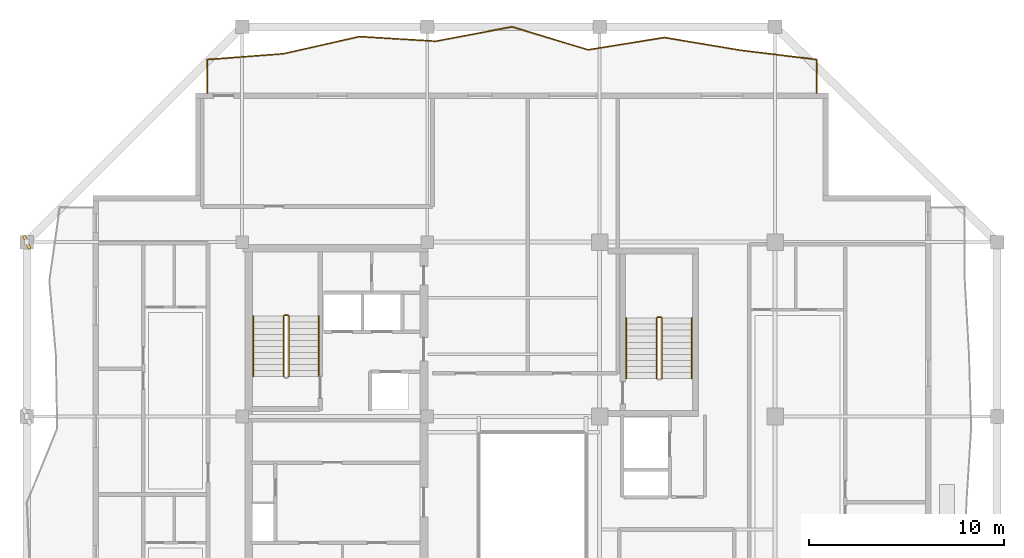
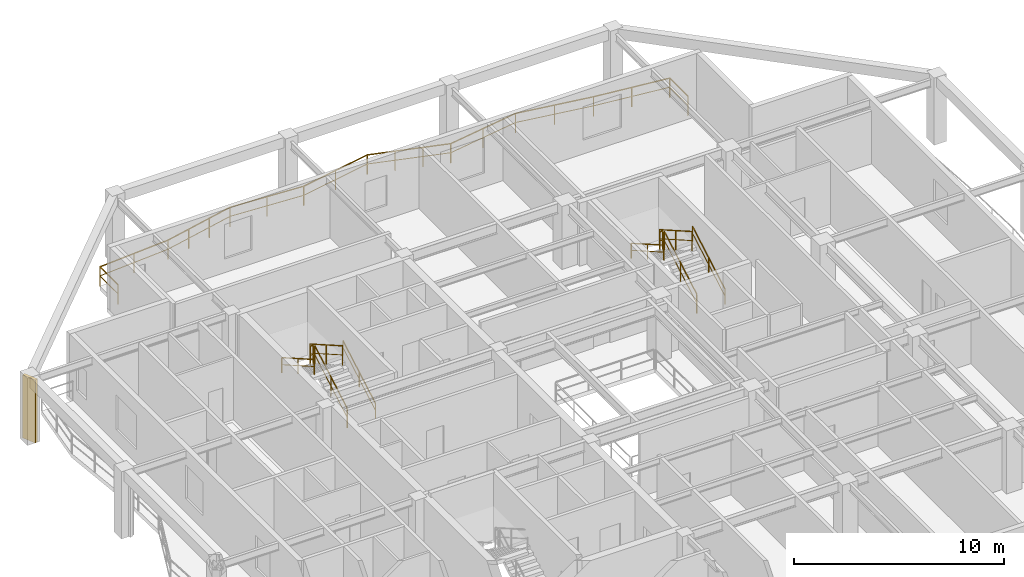
# One storey, part 10 of 11: 11 railings, 1 shading device.
"""IFC4 building model written with IfcOpenShell, lengths in metres."""

from ifc_helpers import new_model, si_unit, direction, frame, origin, origin_2d, place, context, subcontext, project, spatial, rectangle, extrude, material, type_object, element, save


model = new_model("IFC4")

# Units and contexts
model_context = context("Model", 3, precision=1e-05, world=origin(), true_north=direction((0.0, 1.0)))
body_context = subcontext(model_context, "Body", "Model", "MODEL_VIEW")
ifc_project = project(units=[si_unit("LENGTHUNIT", "METRE"), si_unit("AREAUNIT", "SQUARE_METRE"), si_unit("VOLUMEUNIT", "CUBIC_METRE"), si_unit("PLANEANGLEUNIT", "RADIAN"), si_unit("MASSUNIT", "GRAM", prefix="KILO")], contexts=[model_context])

# Site, building, storey
site_placement = place(None, origin())
site = spatial("IfcSite", under=ifc_project, at=site_placement, CompositionType="ELEMENT")
building_placement = place(site_placement, origin())
building = spatial("IfcBuilding", under=site, at=building_placement, Name="Kundavana Baori Tower", CompositionType="ELEMENT")
storey_placement = place(building_placement, frame((0.0, 0.0, 260.89990234375)))
storey = spatial("IfcBuildingStorey", under=building, at=storey_placement, Name="L64", CompositionType="ELEMENT", Elevation=260.89990234375)

# Railings
ifc_material_1 = material(Name="Architectural Patinated Bronze Metalwork")
railing_type_1 = type_object("IfcRailingType", Name="RL-BAL-1150", PredefinedType="BALUSTRADE", material=ifc_material_1)
railing_1_placement = place(storey_placement, frame((13.64990234375, 49.60009765625, 0.0)))
element("IfcRailing", 1, at=railing_1_placement, inside=storey, type_object=railing_type_1, Name="L64 Loggia Balcony Balustrade N", PredefinedType="BALUSTRADE", context=body_context, shape_type="SweptSolid", body=[
    extrude(rectangle(XDim=0.048095703125, YDim=0.048095703125, at=origin_2d()), frame((0.0, 0.0, 1.1259765625), z_axis=(0.0, 1.0, 0.0), x_axis=(-1.0, 0.0, 0.0)), (0.0, 0.0, 1.0), 1.719970703125),
    extrude(rectangle(XDim=0.03125, YDim=0.03125, at=origin_2d()), frame((0.0, 0.0, 0.597900390625), z_axis=(0.0, 1.0, 0.0), x_axis=(-1.0, 0.0, 0.0)), (0.0, 0.0, 1.0), 1.719970703125),
    extrude(rectangle(XDim=0.048095703125, YDim=0.048095703125, at=origin_2d()), frame((0.0, 1.719970703125, 1.1259765625), z_axis=(0.997114210173, 0.075916084399, 0.0), x_axis=(-0.075916084399, 0.997114210173, 0.0)), (0.0, 0.0, 1.0), 3.92333984375),
    extrude(rectangle(XDim=0.03125, YDim=0.03125, at=origin_2d()), frame((0.0, 1.719970703125, 0.597900390625), z_axis=(0.997114210173, 0.075916084399, 0.0), x_axis=(-0.075916084399, 0.997114210173, 0.0)), (0.0, 0.0, 1.0), 3.92333984375),
    extrude(rectangle(XDim=0.048095703125, YDim=0.048095703125, at=origin_2d()), frame((3.912109375, 2.017822265625, 1.1259765625), z_axis=(0.975417798649, 0.220363604249, 0.0), x_axis=(-0.220363604249, 0.975417798649, 0.0)), (0.0, 0.0, 1.0), 4.01171875),
    extrude(rectangle(XDim=0.03125, YDim=0.03125, at=origin_2d()), frame((3.912109375, 2.017822265625, 0.597900390625), z_axis=(0.975417798649, 0.220363604249, 0.0), x_axis=(-0.220363604249, 0.975417798649, 0.0)), (0.0, 0.0, 1.0), 4.01171875),
    extrude(rectangle(XDim=0.048095703125, YDim=0.048095703125, at=origin_2d()), frame((7.8251953125, 2.90185546875, 1.1259765625), z_axis=(0.998124360554, -0.061218958409, 0.0), x_axis=(0.061218958409, 0.998124360554, 0.0)), (0.0, 0.0, 1.0), 3.920166015625),
    extrude(rectangle(XDim=0.03125, YDim=0.03125, at=origin_2d()), frame((7.8251953125, 2.90185546875, 0.597900390625), z_axis=(0.998124360554, -0.061218958409, 0.0), x_axis=(0.061218958409, 0.998124360554, 0.0)), (0.0, 0.0, 1.0), 3.920166015625),
    extrude(rectangle(XDim=0.048095703125, YDim=0.048095703125, at=origin_2d()), frame((11.738037109375, 2.661865234375, 1.1259765625), z_axis=(0.982666080479, 0.185384395987, 0.0), x_axis=(-0.185384395987, 0.982666080479, 0.0)), (0.0, 0.0, 1.0), 3.981201171875),
    extrude(rectangle(XDim=0.03125, YDim=0.03125, at=origin_2d()), frame((11.738037109375, 2.661865234375, 0.597900390625), z_axis=(0.982666080479, 0.185384395987, 0.0), x_axis=(-0.185384395987, 0.982666080479, 0.0)), (0.0, 0.0, 1.0), 3.981201171875),
    extrude(rectangle(XDim=0.048095703125, YDim=0.048095703125, at=origin_2d()), frame((15.650146484375, 3.39990234375, 1.1259765625), z_axis=(0.957613884145, -0.288054940754, 0.0), x_axis=(0.288054940754, 0.957613884145, 0.0)), (0.0, 0.0, 1.0), 4.0859375),
    extrude(rectangle(XDim=0.03125, YDim=0.03125, at=origin_2d()), frame((15.650146484375, 3.39990234375, 0.597900390625), z_axis=(0.957613884145, -0.288054940754, 0.0), x_axis=(0.288054940754, 0.957613884145, 0.0)), (0.0, 0.0, 1.0), 4.0859375),
    extrude(rectangle(XDim=0.048095703125, YDim=0.048095703125, at=origin_2d()), frame((19.56298828125, 2.222900390625, 1.1259765625), z_axis=(0.987236433937, 0.159261494117, 0.0), x_axis=(-0.159261494117, 0.987236433937, 0.0)), (0.0, 0.0, 1.0), 3.962646484375),
    extrude(rectangle(XDim=0.03125, YDim=0.03125, at=origin_2d()), frame((19.56298828125, 2.222900390625, 0.597900390625), z_axis=(0.987236433937, 0.159261494117, 0.0), x_axis=(-0.159261494117, 0.987236433937, 0.0)), (0.0, 0.0, 1.0), 3.962646484375),
    extrude(rectangle(XDim=0.048095703125, YDim=0.048095703125, at=origin_2d()), frame((23.47509765625, 2.85400390625, 1.1259765625), z_axis=(0.986146712574, -0.16587543905, 0.0), x_axis=(0.16587543905, 0.986146712574, 0.0)), (0.0, 0.0, 1.0), 3.968017578125),
    extrude(rectangle(XDim=0.03125, YDim=0.03125, at=origin_2d()), frame((23.47509765625, 2.85400390625, 0.597900390625), z_axis=(0.986146712574, -0.16587543905, 0.0), x_axis=(0.16587543905, 0.986146712574, 0.0)), (0.0, 0.0, 1.0), 3.968017578125),
    extrude(rectangle(XDim=0.048095703125, YDim=0.048095703125, at=origin_2d()), frame((27.38818359375, 2.19580078125, 1.1259765625), z_axis=(0.992683234767, -0.120747651786, 0.0), x_axis=(0.120747651786, 0.992683234767, 0.0)), (0.0, 0.0, 1.0), 3.940673828125),
    extrude(rectangle(XDim=0.03125, YDim=0.03125, at=origin_2d()), frame((27.38818359375, 2.19580078125, 0.597900390625), z_axis=(0.992683234767, -0.120747651786, 0.0), x_axis=(0.120747651786, 0.992683234767, 0.0)), (0.0, 0.0, 1.0), 3.940673828125),
    extrude(rectangle(XDim=0.048095703125, YDim=0.048095703125, at=origin_2d()), frame((31.300048828125, 1.719970703125, 1.1259765625), z_axis=(0.0, -1.0, 0.0), x_axis=(1.0, 0.0, 0.0)), (0.0, 0.0, 1.0), 1.719970703125),
    extrude(rectangle(XDim=0.03125, YDim=0.03125, at=origin_2d()), frame((31.300048828125, 1.719970703125, 0.597900390625), z_axis=(0.0, -1.0, 0.0), x_axis=(1.0, 0.0, 0.0)), (0.0, 0.0, 1.0), 1.719970703125),
    extrude(rectangle(XDim=0.0419921875, YDim=0.0419921875, at=origin_2d()), origin(), (0.0, 0.0, 1.0), 1.101806640625),
    extrude(rectangle(XDim=0.0419921875, YDim=0.0419921875, at=origin_2d()), frame((0.0, 1.719970703125, 0.0)), (0.0, 0.0, 1.0), 1.101806640625),
    extrude(rectangle(XDim=0.0419921875, YDim=0.0419921875, at=origin_2d()), frame((1.9560546875, 1.868896484375, 0.0)), (0.0, 0.0, 1.0), 1.101806640625),
    extrude(rectangle(XDim=0.0419921875, YDim=0.0419921875, at=origin_2d()), frame((3.912109375, 2.017822265625, 0.0)), (0.0, 0.0, 1.0), 1.101806640625),
    extrude(rectangle(XDim=0.0419921875, YDim=0.0419921875, at=origin_2d()), frame((5.216552734375, 2.3125, 0.0)), (0.0, 0.0, 1.0), 1.101806640625),
    extrude(rectangle(XDim=0.0419921875, YDim=0.0419921875, at=origin_2d()), frame((6.520751953125, 2.607177734375, 0.0)), (0.0, 0.0, 1.0), 1.101806640625),
    extrude(rectangle(XDim=0.0419921875, YDim=0.0419921875, at=origin_2d()), frame((7.8251953125, 2.90185546875, 0.0)), (0.0, 0.0, 1.0), 1.101806640625),
    extrude(rectangle(XDim=0.0419921875, YDim=0.0419921875, at=origin_2d()), frame((9.78173828125, 2.78173828125, 0.0)), (0.0, 0.0, 1.0), 1.101806640625),
    extrude(rectangle(XDim=0.0419921875, YDim=0.0419921875, at=origin_2d()), frame((11.738037109375, 2.661865234375, 0.0)), (0.0, 0.0, 1.0), 1.101806640625),
    extrude(rectangle(XDim=0.0419921875, YDim=0.0419921875, at=origin_2d()), frame((13.694091796875, 3.03076171875, 0.0)), (0.0, 0.0, 1.0), 1.101806640625),
    extrude(rectangle(XDim=0.0419921875, YDim=0.0419921875, at=origin_2d()), frame((15.650146484375, 3.39990234375, 0.0)), (0.0, 0.0, 1.0), 1.101806640625),
    extrude(rectangle(XDim=0.0419921875, YDim=0.0419921875, at=origin_2d()), frame((16.954345703125, 3.007568359375, 0.0)), (0.0, 0.0, 1.0), 1.101806640625),
    extrude(rectangle(XDim=0.0419921875, YDim=0.0419921875, at=origin_2d()), frame((18.2587890625, 2.615234375, 0.0)), (0.0, 0.0, 1.0), 1.101806640625),
    extrude(rectangle(XDim=0.0419921875, YDim=0.0419921875, at=origin_2d()), frame((19.56298828125, 2.222900390625, 0.0)), (0.0, 0.0, 1.0), 1.101806640625),
    extrude(rectangle(XDim=0.0419921875, YDim=0.0419921875, at=origin_2d()), frame((21.51904296875, 2.53857421875, 0.0)), (0.0, 0.0, 1.0), 1.101806640625),
    extrude(rectangle(XDim=0.0419921875, YDim=0.0419921875, at=origin_2d()), frame((23.47509765625, 2.85400390625, 0.0)), (0.0, 0.0, 1.0), 1.101806640625),
    extrude(rectangle(XDim=0.0419921875, YDim=0.0419921875, at=origin_2d()), frame((25.431640625, 2.52490234375, 0.0)), (0.0, 0.0, 1.0), 1.101806640625),
    extrude(rectangle(XDim=0.0419921875, YDim=0.0419921875, at=origin_2d()), frame((27.38818359375, 2.19580078125, 0.0)), (0.0, 0.0, 1.0), 1.101806640625),
    extrude(rectangle(XDim=0.0419921875, YDim=0.0419921875, at=origin_2d()), frame((29.34423828125, 1.9580078125, 0.0)), (0.0, 0.0, 1.0), 1.101806640625),
    extrude(rectangle(XDim=0.0419921875, YDim=0.0419921875, at=origin_2d()), frame((31.300048828125, 1.719970703125, 0.0)), (0.0, 0.0, 1.0), 1.101806640625),
    extrude(rectangle(XDim=0.0419921875, YDim=0.0419921875, at=origin_2d()), frame((31.300048828125, 0.0, 0.0)), (0.0, 0.0, 1.0), 1.101806640625),
])
ifc_material_2 = material(Name="Architectural Patinated Bronze Metalwork")
railing_type_2 = type_object("IfcRailingType", Name="RL-GRD-1150", PredefinedType="GUARDRAIL", material=ifc_material_2)
railing_2_placement = place(storey_placement, frame((17.840087890625, 35.050048828125, 0.177490234375)))
element("IfcRailing", 2, at=railing_2_placement, inside=storey, type_object=railing_type_2, Name="L64 ST2 stair guard 1", PredefinedType="GUARDRAIL", context=body_context, shape_type="SweptSolid", body=[
    extrude(rectangle(XDim=0.048095703125, YDim=0.048095703125, at=origin_2d()), frame((0.0, 0.0, 1.1259765625), z_axis=(0.0, 0.868079009454, 0.496426060301), x_axis=(-1.0, 0.0, 0.0)), (0.0, 0.0, 1.0), 3.571044921875),
    extrude(rectangle(XDim=0.03125, YDim=0.03125, at=origin_2d()), frame((0.0, 0.0, 0.597900390625), z_axis=(0.0, 0.868079009454, 0.496426060301), x_axis=(-1.0, 0.0, 0.0)), (0.0, 0.0, 1.0), 3.571044921875),
    extrude(rectangle(XDim=0.0419921875, YDim=0.0419921875, at=origin_2d()), origin(), (0.0, 0.0, 1.0), 1.101806640625),
    extrude(rectangle(XDim=0.0419921875, YDim=0.0419921875, at=origin_2d()), frame((0.0, 1.5498046875, 0.88623046875)), (0.0, 0.0, 1.0), 1.101806640625),
    extrude(rectangle(XDim=0.0419921875, YDim=0.0419921875, at=origin_2d()), frame((0.0, 3.099853515625, 1.772705078125)), (0.0, 0.0, 1.0), 1.101806640625),
])
railing_3_placement = place(storey_placement, frame((17.7900390625, 38.199951171875, 1.9501953125)))
element("IfcRailing", 3, at=railing_3_placement, inside=storey, type_object=railing_type_2, Name="L64 ST2 stair guard 2", PredefinedType="GUARDRAIL", context=body_context, shape_type="SweptSolid", body=[
    extrude(rectangle(XDim=0.048095703125, YDim=0.048095703125, at=origin_2d()), frame((0.0, 0.0, 1.1259765625), z_axis=(-1.0, 0.0, 0.0), x_axis=(0.0, -1.0, 0.0)), (0.0, 0.0, 1.0), 0.16015625),
    extrude(rectangle(XDim=0.03125, YDim=0.03125, at=origin_2d()), frame((0.0, 0.0, 0.597900390625), z_axis=(-1.0, 0.0, 0.0), x_axis=(0.0, -1.0, 0.0)), (0.0, 0.0, 1.0), 0.16015625),
    extrude(rectangle(XDim=0.0419921875, YDim=0.0419921875, at=origin_2d()), origin(), (0.0, 0.0, 1.0), 1.101806640625),
    extrude(rectangle(XDim=0.0419921875, YDim=0.0419921875, at=origin_2d()), frame((-0.16015625, 0.0, 0.0)), (0.0, 0.0, 1.0), 1.101806640625),
])
railing_4_placement = place(storey_placement, frame((17.580078125, 38.14990234375, 2.12744140625)))
element("IfcRailing", 4, at=railing_4_placement, inside=storey, type_object=railing_type_2, Name="L64 ST2 stair guard 3", PredefinedType="GUARDRAIL", context=body_context, shape_type="SweptSolid", body=[
    extrude(rectangle(XDim=0.048095703125, YDim=0.048095703125, at=origin_2d()), frame((0.0, 0.0, 1.1259765625), z_axis=(0.0, -0.868079009454, 0.496426060301), x_axis=(1.0, 0.0, 0.0)), (0.0, 0.0, 1.0), 3.571044921875),
    extrude(rectangle(XDim=0.03125, YDim=0.03125, at=origin_2d()), frame((0.0, 0.0, 0.597900390625), z_axis=(0.0, -0.868079009454, 0.496426060301), x_axis=(1.0, 0.0, 0.0)), (0.0, 0.0, 1.0), 3.571044921875),
    extrude(rectangle(XDim=0.0419921875, YDim=0.0419921875, at=origin_2d()), origin(), (0.0, 0.0, 1.0), 1.101806640625),
    extrude(rectangle(XDim=0.0419921875, YDim=0.0419921875, at=origin_2d()), frame((0.0, -1.5498046875, 0.88623046875)), (0.0, 0.0, 1.0), 1.101806640625),
    extrude(rectangle(XDim=0.0419921875, YDim=0.0419921875, at=origin_2d()), frame((0.0, -3.099853515625, 1.772705078125)), (0.0, 0.0, 1.0), 1.101806640625),
])
railing_5_placement = place(storey_placement, frame((36.97998046875, 34.949951171875, 0.177490234375)))
element("IfcRailing", 5, at=railing_5_placement, inside=storey, type_object=railing_type_2, Name="L64 ST3 stair guard 1", PredefinedType="GUARDRAIL", context=body_context, shape_type="SweptSolid", body=[
    extrude(rectangle(XDim=0.048095703125, YDim=0.048095703125, at=origin_2d()), frame((0.0, 0.0, 1.1259765625), z_axis=(0.0, 0.868095856688, 0.496396599103), x_axis=(-1.0, 0.0, 0.0)), (0.0, 0.0, 1.0), 3.571044921875),
    extrude(rectangle(XDim=0.03125, YDim=0.03125, at=origin_2d()), frame((0.0, 0.0, 0.597900390625), z_axis=(0.0, 0.868095856688, 0.496396599103), x_axis=(-1.0, 0.0, 0.0)), (0.0, 0.0, 1.0), 3.571044921875),
    extrude(rectangle(XDim=0.0419921875, YDim=0.0419921875, at=origin_2d()), origin(), (0.0, 0.0, 1.0), 1.101806640625),
    extrude(rectangle(XDim=0.0419921875, YDim=0.0419921875, at=origin_2d()), frame((0.0, 1.550048828125, 0.88623046875)), (0.0, 0.0, 1.0), 1.101806640625),
    extrude(rectangle(XDim=0.0419921875, YDim=0.0419921875, at=origin_2d()), frame((0.0, 3.10009765625, 1.772705078125)), (0.0, 0.0, 1.0), 1.101806640625),
])
railing_6_placement = place(storey_placement, frame((36.929931640625, 38.10009765625, 1.9501953125)))
element("IfcRailing", 6, at=railing_6_placement, inside=storey, type_object=railing_type_2, Name="L64 ST3 stair guard 2", PredefinedType="GUARDRAIL", context=body_context, shape_type="SweptSolid", body=[
    extrude(rectangle(XDim=0.048095703125, YDim=0.048095703125, at=origin_2d()), frame((0.0, 0.0, 1.1259765625), z_axis=(-1.0, 0.0, 0.0), x_axis=(0.0, -1.0, 0.0)), (0.0, 0.0, 1.0), 0.159912109375),
    extrude(rectangle(XDim=0.03125, YDim=0.03125, at=origin_2d()), frame((0.0, 0.0, 0.597900390625), z_axis=(-1.0, 0.0, 0.0), x_axis=(0.0, -1.0, 0.0)), (0.0, 0.0, 1.0), 0.159912109375),
    extrude(rectangle(XDim=0.0419921875, YDim=0.0419921875, at=origin_2d()), origin(), (0.0, 0.0, 1.0), 1.101806640625),
    extrude(rectangle(XDim=0.0419921875, YDim=0.0419921875, at=origin_2d()), frame((-0.159912109375, 0.0, 0.0)), (0.0, 0.0, 1.0), 1.101806640625),
])
railing_7_placement = place(storey_placement, frame((36.719970703125, 38.050048828125, 2.12744140625)))
element("IfcRailing", 7, at=railing_7_placement, inside=storey, type_object=railing_type_2, Name="L64 ST3 stair guard 3", PredefinedType="GUARDRAIL", context=body_context, shape_type="SweptSolid", body=[
    extrude(rectangle(XDim=0.048095703125, YDim=0.048095703125, at=origin_2d()), frame((0.0, 0.0, 1.1259765625), z_axis=(0.0, -0.868095856688, 0.496396599103), x_axis=(1.0, 0.0, 0.0)), (0.0, 0.0, 1.0), 3.571044921875),
    extrude(rectangle(XDim=0.03125, YDim=0.03125, at=origin_2d()), frame((0.0, 0.0, 0.597900390625), z_axis=(0.0, -0.868095856688, 0.496396599103), x_axis=(1.0, 0.0, 0.0)), (0.0, 0.0, 1.0), 3.571044921875),
    extrude(rectangle(XDim=0.0419921875, YDim=0.0419921875, at=origin_2d()), origin(), (0.0, 0.0, 1.0), 1.101806640625),
    extrude(rectangle(XDim=0.0419921875, YDim=0.0419921875, at=origin_2d()), frame((0.0, -1.550048828125, 0.88623046875)), (0.0, 0.0, 1.0), 1.101806640625),
    extrude(rectangle(XDim=0.0419921875, YDim=0.0419921875, at=origin_2d()), frame((0.0, -3.10009765625, 1.772705078125)), (0.0, 0.0, 1.0), 1.101806640625),
])
ifc_material_3 = material(Name="Architectural Patinated Bronze Metalwork")
railing_type_3 = type_object("IfcRailingType", Name="RL-HND-920", PredefinedType="HANDRAIL", material=ifc_material_3)
railing_8_placement = place(storey_placement, frame((19.389892578125, 35.050048828125, 0.177490234375)))
element("IfcRailing", 8, at=railing_8_placement, inside=storey, type_object=railing_type_3, Name="L64 ST2 stair handrail 1", PredefinedType="HANDRAIL", context=body_context, shape_type="SweptSolid", body=[
    extrude(rectangle(XDim=0.048095703125, YDim=0.048095703125, at=origin_2d()), frame((0.0, 0.0, 0.8759765625), z_axis=(0.0, 0.868079009454, 0.496426060301), x_axis=(-1.0, 0.0, 0.0)), (0.0, 0.0, 1.0), 3.571044921875),
    extrude(rectangle(XDim=0.03125, YDim=0.03125, at=origin_2d()), frame((0.0, 0.0, 0.468017578125), z_axis=(0.0, 0.868079009454, 0.496426060301), x_axis=(-1.0, 0.0, 0.0)), (0.0, 0.0, 1.0), 3.571044921875),
    extrude(rectangle(XDim=0.0419921875, YDim=0.0419921875, at=origin_2d()), origin(), (0.0, 0.0, 1.0), 0.851806640625),
    extrude(rectangle(XDim=0.0419921875, YDim=0.0419921875, at=origin_2d()), frame((0.0, 1.5498046875, 0.88623046875)), (0.0, 0.0, 1.0), 0.851806640625),
    extrude(rectangle(XDim=0.0419921875, YDim=0.0419921875, at=origin_2d()), frame((0.0, 3.099853515625, 1.772705078125)), (0.0, 0.0, 1.0), 0.851806640625),
])
railing_9_placement = place(storey_placement, frame((16.030029296875, 38.14990234375, 2.12744140625)))
element("IfcRailing", 9, at=railing_9_placement, inside=storey, type_object=railing_type_3, Name="L64 ST2 stair handrail 2", PredefinedType="HANDRAIL", context=body_context, shape_type="SweptSolid", body=[
    extrude(rectangle(XDim=0.048095703125, YDim=0.048095703125, at=origin_2d()), frame((0.0, 0.0, 0.8759765625), z_axis=(0.0, -0.868079009454, 0.496426060301), x_axis=(1.0, 0.0, 0.0)), (0.0, 0.0, 1.0), 3.571044921875),
    extrude(rectangle(XDim=0.03125, YDim=0.03125, at=origin_2d()), frame((0.0, 0.0, 0.468017578125), z_axis=(0.0, -0.868079009454, 0.496426060301), x_axis=(1.0, 0.0, 0.0)), (0.0, 0.0, 1.0), 3.571044921875),
    extrude(rectangle(XDim=0.0419921875, YDim=0.0419921875, at=origin_2d()), origin(), (0.0, 0.0, 1.0), 0.851806640625),
    extrude(rectangle(XDim=0.0419921875, YDim=0.0419921875, at=origin_2d()), frame((0.0, -1.5498046875, 0.88623046875)), (0.0, 0.0, 1.0), 0.851806640625),
    extrude(rectangle(XDim=0.0419921875, YDim=0.0419921875, at=origin_2d()), frame((0.0, -3.099853515625, 1.772705078125)), (0.0, 0.0, 1.0), 0.851806640625),
])
railing_10_placement = place(storey_placement, frame((38.530029296875, 34.949951171875, 0.177490234375)))
element("IfcRailing", 10, at=railing_10_placement, inside=storey, type_object=railing_type_3, Name="L64 ST3 stair handrail 1", PredefinedType="HANDRAIL", context=body_context, shape_type="SweptSolid", body=[
    extrude(rectangle(XDim=0.048095703125, YDim=0.048095703125, at=origin_2d()), frame((0.0, 0.0, 0.8759765625), z_axis=(0.0, 0.868095856688, 0.496396599103), x_axis=(-1.0, 0.0, 0.0)), (0.0, 0.0, 1.0), 3.571044921875),
    extrude(rectangle(XDim=0.03125, YDim=0.03125, at=origin_2d()), frame((0.0, 0.0, 0.468017578125), z_axis=(0.0, 0.868095856688, 0.496396599103), x_axis=(-1.0, 0.0, 0.0)), (0.0, 0.0, 1.0), 3.571044921875),
    extrude(rectangle(XDim=0.0419921875, YDim=0.0419921875, at=origin_2d()), origin(), (0.0, 0.0, 1.0), 0.851806640625),
    extrude(rectangle(XDim=0.0419921875, YDim=0.0419921875, at=origin_2d()), frame((0.0, 1.550048828125, 0.88623046875)), (0.0, 0.0, 1.0), 0.851806640625),
    extrude(rectangle(XDim=0.0419921875, YDim=0.0419921875, at=origin_2d()), frame((0.0, 3.10009765625, 1.772705078125)), (0.0, 0.0, 1.0), 0.851806640625),
])
railing_11_placement = place(storey_placement, frame((35.169921875, 38.050048828125, 2.12744140625)))
element("IfcRailing", 11, at=railing_11_placement, inside=storey, type_object=railing_type_3, Name="L64 ST3 stair handrail 2", PredefinedType="HANDRAIL", context=body_context, shape_type="SweptSolid", body=[
    extrude(rectangle(XDim=0.048095703125, YDim=0.048095703125, at=origin_2d()), frame((0.0, 0.0, 0.8759765625), z_axis=(0.0, -0.868095856688, 0.496396599103), x_axis=(1.0, 0.0, 0.0)), (0.0, 0.0, 1.0), 3.571044921875),
    extrude(rectangle(XDim=0.03125, YDim=0.03125, at=origin_2d()), frame((0.0, 0.0, 0.468017578125), z_axis=(0.0, -0.868095856688, 0.496396599103), x_axis=(1.0, 0.0, 0.0)), (0.0, 0.0, 1.0), 3.571044921875),
    extrude(rectangle(XDim=0.0419921875, YDim=0.0419921875, at=origin_2d()), origin(), (0.0, 0.0, 1.0), 0.851806640625),
    extrude(rectangle(XDim=0.0419921875, YDim=0.0419921875, at=origin_2d()), frame((0.0, -1.550048828125, 0.88623046875)), (0.0, 0.0, 1.0), 0.851806640625),
    extrude(rectangle(XDim=0.0419921875, YDim=0.0419921875, at=origin_2d()), frame((0.0, -3.10009765625, 1.772705078125)), (0.0, 0.0, 1.0), 0.851806640625),
])

# Shading device
ifc_material_4 = material(Name="Red-Buff Dholpur Sandstone Cladding on Concrete C40/50", Category="masonry")
shading_device_type = type_object("IfcShadingDeviceType", Name="SHD-FIN-750", PredefinedType="JALOUSIE", material=ifc_material_4)
shading_device_placement = place(storey_placement, frame((4.39990234375, 41.949951171875, 0.0), z_axis=(0.0, 0.0, 1.0), x_axis=(0.917060074385, 0.398749068925, 0.0)))
element("IfcShadingDevice", 12, at=shading_device_placement, inside=storey, type_object=shading_device_type, Name="L64 Sweeping Dholpur Sandstone Facade Fin 8", PredefinedType="JALOUSIE", context=body_context, shape_type="SweptSolid", body=[
    extrude(rectangle(XDim=0.159912109375, YDim=0.75, at=origin_2d()), origin(), (0.0, 0.0, 1.0), 3.659912109375),
])

save(model, "model.ifc")
